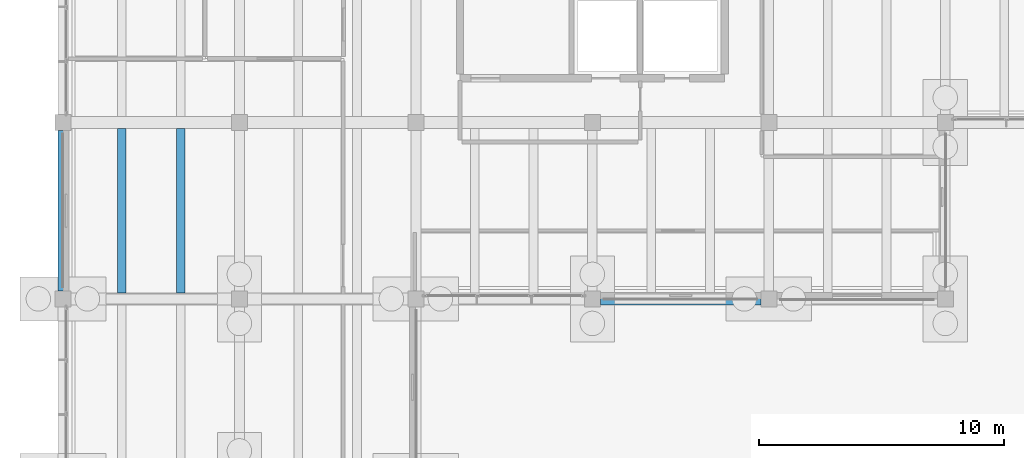
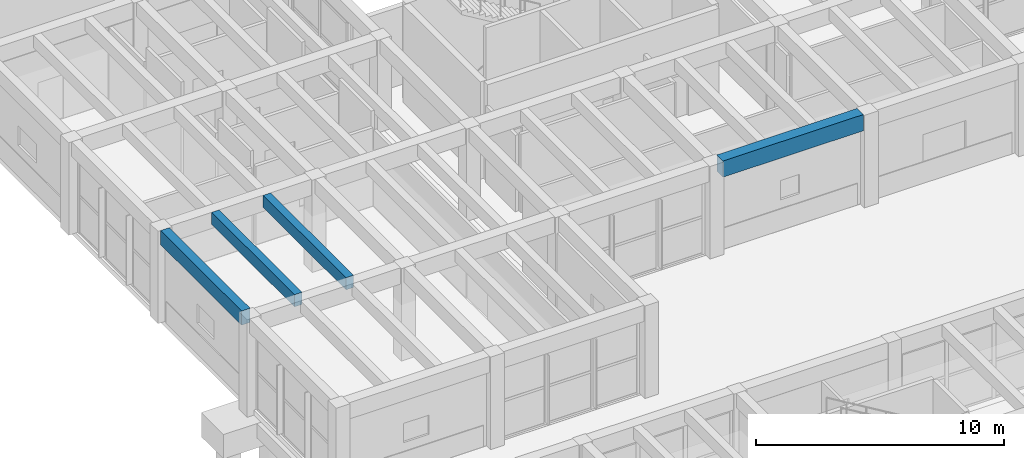
# One storey, part 60 of 155: 4 beams.
"""IFC4 building model written with IfcOpenShell, lengths in metres."""

from ifc_helpers import new_model, si_unit, direction, frame, origin, origin_2d, place, context, subcontext, project, spatial, rectangle, extrude, material, material_profile, profile_set, type_object, element, save


model = new_model("IFC4")

# Units and contexts
model_context = context("Model", 3, precision=1e-05, world=origin(), true_north=direction((0.0, 1.0)))
body_context = subcontext(model_context, "Body", "Model", "MODEL_VIEW")
ifc_project = project(units=[si_unit("LENGTHUNIT", "METRE"), si_unit("AREAUNIT", "SQUARE_METRE"), si_unit("VOLUMEUNIT", "CUBIC_METRE"), si_unit("PLANEANGLEUNIT", "RADIAN"), si_unit("MASSUNIT", "GRAM", prefix="KILO")], contexts=[model_context])

# Site, building, storey
site_placement = place(None, origin())
site = spatial("IfcSite", under=ifc_project, at=site_placement, CompositionType="ELEMENT")
building_placement = place(site_placement, origin())
building = spatial("IfcBuilding", under=site, at=building_placement, Name="Bramvelor Terrace Health Centre", CompositionType="ELEMENT")
storey_placement = place(building_placement, origin())
storey = spatial("IfcBuildingStorey", under=building, at=storey_placement, Name="L01", CompositionType="ELEMENT", Elevation=0.0)

# Beams
ifc_material_1 = material(Name="Concrete C40/50", Category="concrete")
ifc_material_profile_1 = material_profile(ifc_material_1, rectangle(XDim=0.5, YDim=0.800048828125, at=origin_2d()), Name="RC 500x800")
ifc_profile_set_1 = profile_set([ifc_material_profile_1], Name="Concrete C40/50")
beam_type_1 = type_object("IfcBeamType", Name="BM-RC-G800", PredefinedType="BEAM", material=ifc_profile_set_1)
beam_1_placement = place(storey_placement, frame((21.925048828125, 79.199951171875, 4.159912109375), z_axis=(1.0, 0.0, 0.0), x_axis=(0.0, 1.0, 0.0)))
element("IfcBeam", 1, at=beam_1_placement, inside=storey, type_object=beam_type_1, Name="L01 Floor Girder", PredefinedType="BEAM", context=body_context, shape_type="SweptSolid", body=[
    extrude(rectangle(XDim=0.5, YDim=0.800048828125, at=origin_2d()), origin(), (0.0, 0.0, 1.0), 6.550048828125),
])
ifc_material_2 = material(Name="Concrete C40/50", Category="concrete")
ifc_material_profile_2 = material_profile(ifc_material_2, rectangle(XDim=0.35009765625, YDim=0.60009765625, at=origin_2d()), Name="RC 350x600")
ifc_profile_set_2 = profile_set([ifc_material_profile_2], Name="Concrete C40/50")
beam_type_2 = type_object("IfcBeamType", Name="BM-RC-J600", PredefinedType="JOIST", material=ifc_profile_set_2)
for number, where, z_axis, x_axis, name in (
    (2, (2.39990234375, 79.449951171875, 4.260009765625), (0.0, 1.0, 0.0), (-1.0, 0.0, 0.0), "L01 Secondary Floor Joist"),
    (3, (4.800048828125, 79.449951171875, 4.260009765625), (0.0, 1.0, 0.0), (-1.0, 0.0, 0.0), "L01 Secondary Floor Joist"),
):
    element("IfcBeam", number, at=place(storey_placement, frame(where, z_axis=z_axis, x_axis=x_axis)), inside=storey, type_object=beam_type_2, Name=name, PredefinedType="JOIST", context=body_context, shape_type="SweptSolid", body=[
        extrude(rectangle(XDim=0.35009765625, YDim=0.60009765625, at=origin_2d()), origin(), (0.0, 0.0, 1.0), 6.699951171875),
    ])
ifc_material_3 = material(Name="Concrete C40/50", Category="concrete")
ifc_material_profile_3 = material_profile(ifc_material_3, rectangle(XDim=0.39990234375, YDim=0.699951171875, at=origin_2d()), Name="RC 400x700")
ifc_profile_set_3 = profile_set([ifc_material_profile_3], Name="Concrete C40/50")
beam_type_3 = type_object("IfcBeamType", Name="BM-RC-SP700-EXT", PredefinedType="SPANDREL", material=ifc_profile_set_3)
beam_2_placement = place(storey_placement, frame((0.0, 79.52490234375, 4.2099609375), z_axis=(0.0, 1.0, 0.0), x_axis=(-1.0, 0.0, 0.0)))
element("IfcBeam", 4, at=beam_2_placement, inside=storey, type_object=beam_type_3, Name="L01 Floor Girder", PredefinedType="SPANDREL", context=body_context, shape_type="SweptSolid", body=[
    extrude(rectangle(XDim=0.39990234375, YDim=0.699951171875, at=origin_2d()), origin(), (0.0, 0.0, 1.0), 6.550048828125),
])

save(model, "model.ifc")
